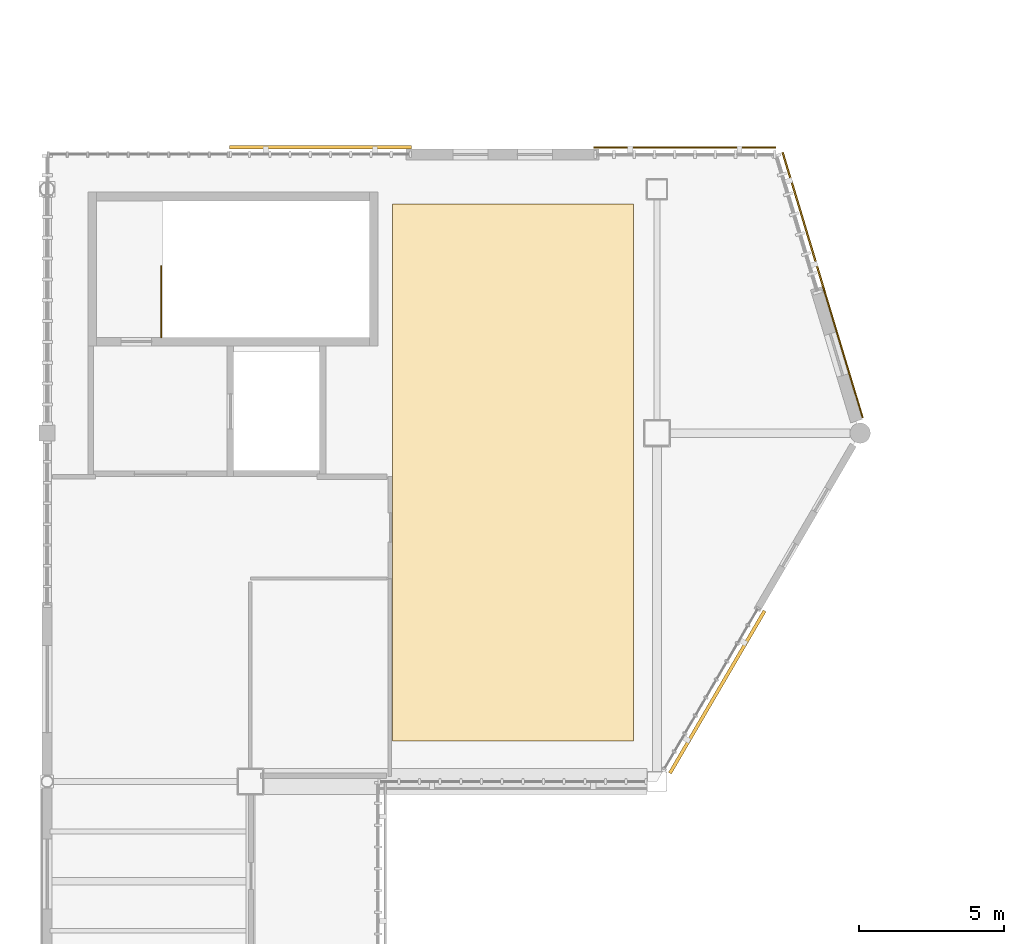
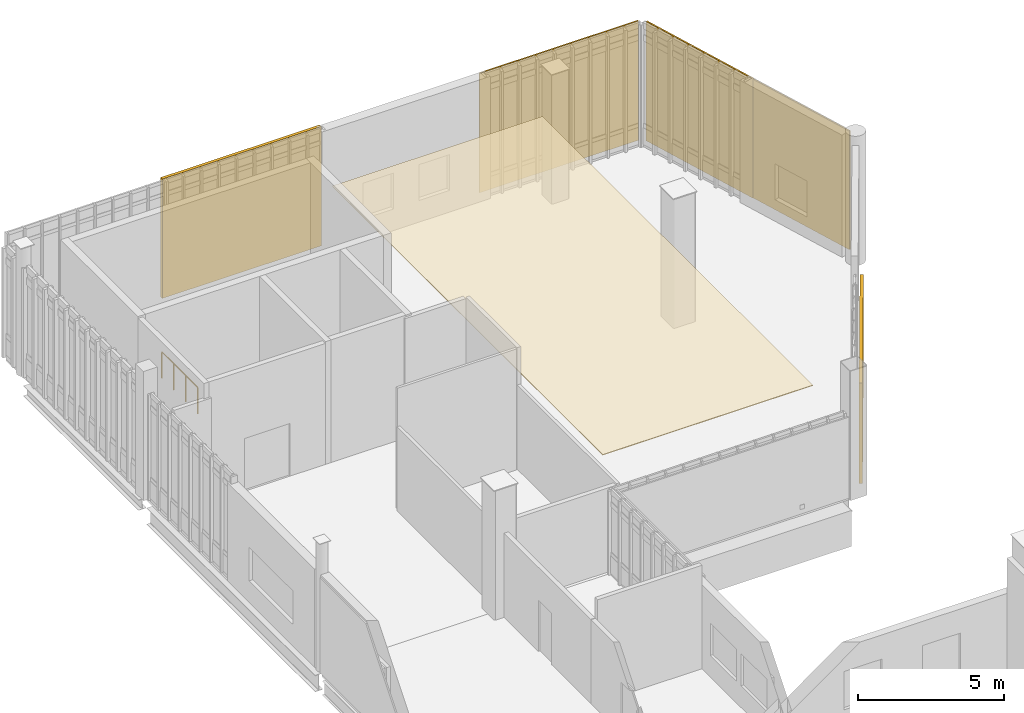
# One storey, part 135 of 135: 4 shading devices, 2 coverings, 1 railing.
"""IFC4 building model written with IfcOpenShell, lengths in metres."""

from ifc_helpers import new_model, si_unit, direction, frame, origin, origin_2d, place, context, subcontext, project, spatial, polyline, rectangle, circle, outline, extrude, material, layer, layer_set, type_object, element, save


model = new_model("IFC4")

# Units and contexts
model_context = context("Model", 3, precision=1e-05, world=origin(), true_north=direction((0.0, 1.0)))
body_context = subcontext(model_context, "Body", "Model", "MODEL_VIEW")
ifc_project = project(units=[si_unit("LENGTHUNIT", "METRE"), si_unit("AREAUNIT", "SQUARE_METRE"), si_unit("VOLUMEUNIT", "CUBIC_METRE"), si_unit("PLANEANGLEUNIT", "RADIAN"), si_unit("MASSUNIT", "GRAM", prefix="KILO")], contexts=[model_context])

# Site, building, storey
site_placement = place(None, origin())
site = spatial("IfcSite", under=ifc_project, at=site_placement, CompositionType="ELEMENT")
building_placement = place(site_placement, origin())
building = spatial("IfcBuilding", under=site, at=building_placement, Name="Larkvane Passage Sports Hall", CompositionType="ELEMENT")
storey_placement = place(building_placement, frame((0.0, 0.0, 16.800048828125)))
storey = spatial("IfcBuildingStorey", under=building, at=storey_placement, Name="L03", CompositionType="ELEMENT", Elevation=16.800048828125)

# Coverings
ifc_material_1 = material(Name="Perforated mineral-wool acoustic baffle")
ifc_layer_1 = layer(ifc_material_1, 0.030029296875)
ifc_layer_set_1 = layer_set([ifc_layer_1], Name="Perforated mineral-wool acoustic baffle")
covering_type_1 = type_object("IfcCoveringType", Name="COV-CEIL-ACOUST", PredefinedType="CEILING", material=ifc_layer_set_1)
covering_1_placement = place(storey_placement, frame((0.0, 0.0, 3.90087890625)))
element("IfcCovering", 1, at=covering_1_placement, inside=storey, type_object=covering_type_1, Name="Acoustic ceiling baffle COV-CEIL-L03-CAF", PredefinedType="CEILING", context=body_context, shape_type="SweptSolid", body=[
    extrude(outline(polyline([(136.5, 65.0), (144.800048828125, 65.0), (144.800048828125, 83.5), (136.5, 83.5), (136.5, 65.0)])), origin(), (0.0, 0.0, 1.0), 0.030029296875),
])
ifc_material_2 = material(Name="Perforated anodised aluminium 5052-H32", Category="aluminium")
ifc_layer_2 = layer(ifc_material_2, 0.050048828125)
ifc_layer_set_2 = layer_set([ifc_layer_2], Name="Perforated anodised aluminium 5052-H32")
covering_type_2 = type_object("IfcCoveringType", Name="COV-MESH-VEIL", PredefinedType="CLADDING", material=ifc_layer_set_2)
covering_2_placement = place(storey_placement, frame((152.01025390625, 78.373291015625, 0.0751953125), z_axis=(0.0, 0.0, 1.0), x_axis=(0.289177016584, -0.957275641119, 0.0)))
element("IfcCovering", 2, at=covering_2_placement, inside=storey, type_object=covering_type_2, Name="Perforated cladding cassette L03-164", PredefinedType="CLADDING", context=body_context, shape_type="SweptSolid", body=[
    extrude(rectangle(XDim=4.68603515625, YDim=0.050048828125, at=origin_2d()), origin(), (0.0, 0.0, 1.0), 4.949951171875),
])

# Railing
ifc_material_3 = material(Name="Steel S355JR", Category="steel")
railing_type = type_object("IfcRailingType", Name="RL-GUARD-1120", PredefinedType="GUARDRAIL", material=ifc_material_3)
railing_placement = place(storey_placement, frame((128.530029296875, 78.89990234375, 0.0)))
element("IfcRailing", 3, at=railing_placement, inside=storey, type_object=railing_type, Name="L03 ST-06 top well guard 1", PredefinedType="GUARDRAIL", context=body_context, shape_type="SweptSolid", body=[
    extrude(circle(Radius=0.02392578125, at=origin_2d()), frame((0.0, 0.001953125, 1.09619140625), z_axis=(0.0, 1.0, 0.0), x_axis=(-1.0, 0.0, 0.0)), (0.0, 0.0, 1.0), 2.4462890625),
    extrude(circle(Radius=0.02099609375, at=origin_2d()), origin(), (0.0, 0.0, 1.0), 1.072021484375),
    extrude(circle(Radius=0.02099609375, at=origin_2d()), frame((0.0, 0.816650390625, 0.0)), (0.0, 0.0, 1.0), 1.072021484375),
    extrude(circle(Radius=0.02099609375, at=origin_2d()), frame((0.0, 1.633544921875, 0.0)), (0.0, 0.0, 1.0), 1.072021484375),
    extrude(circle(Radius=0.02099609375, at=origin_2d()), frame((0.0, 2.4501953125, 0.0)), (0.0, 0.0, 1.0), 1.072021484375),
])

# Shading devices
ifc_material_4 = material(Name="Extruded aluminium 6063-T6", Category="aluminium")
ifc_layer_3 = layer(ifc_material_4, 0.1201171875)
ifc_layer_set_3 = layer_set([ifc_layer_3], Name="Extruded aluminium 6063-T6")
shading_device_type_1 = type_object("IfcShadingDeviceType", Name="SHD-LOUVRE-STORM", PredefinedType="JALOUSIE", material=ifc_layer_set_3)
shading_device_1_placement = place(storey_placement, frame((134.012451171875, 85.43994140625, 0.06005859375), z_axis=(0.0, 0.0, 1.0), x_axis=(1.0, 0.0, 0.0)))
element("IfcShadingDevice", 4, at=shading_device_1_placement, inside=storey, type_object=shading_device_type_1, Name="Solar veil screen L03-072", PredefinedType="JALOUSIE", context=body_context, shape_type="SweptSolid", body=[
    extrude(rectangle(XDim=6.27490234375, YDim=0.1201171875, at=origin_2d()), origin(), (0.0, 0.0, 1.0), 4.97998046875),
])
shading_device_2_placement = place(storey_placement, frame((147.677001953125, 66.68408203125, 0.06005859375), z_axis=(0.0, 0.0, 1.0), x_axis=(-0.503871025531, -0.863778900894, 0.0)))
element("IfcShadingDevice", 5, at=shading_device_2_placement, inside=storey, type_object=shading_device_type_1, Name="Solar veil screen L03-075", PredefinedType="JALOUSIE", context=body_context, shape_type="SweptSolid", body=[
    extrude(rectangle(XDim=6.471435546875, YDim=0.1201171875, at=origin_2d()), origin(), (0.0, 0.0, 1.0), 4.18798828125),
])
ifc_layer_4 = layer(ifc_material_2, 0.06005859375)
ifc_layer_set_4 = layer_set([ifc_layer_4], Name="Perforated anodised aluminium 5052-H32")
shading_device_type_2 = type_object("IfcShadingDeviceType", Name="SHD-VEIL-PERF", PredefinedType="SHUTTER", material=ifc_layer_set_4)
shading_device_3_placement = place(storey_placement, frame((146.5625, 85.43994140625, 0.06005859375), z_axis=(0.0, 0.0, 1.0), x_axis=(1.0, 0.0, 0.0)))
element("IfcShadingDevice", 6, at=shading_device_3_placement, inside=storey, type_object=shading_device_type_2, Name="Solar veil screen L03-073", PredefinedType="SHUTTER", context=body_context, shape_type="SweptSolid", body=[
    extrude(rectangle(XDim=6.27490234375, YDim=0.06005859375, at=origin_2d()), origin(), (0.0, 0.0, 1.0), 4.97998046875),
])
shading_device_4_placement = place(storey_placement, frame((150.65478515625, 82.869384765625, 0.06005859375), z_axis=(0.0, 0.0, 1.0), x_axis=(0.289177016584, -0.957275641119, 0.0)))
element("IfcShadingDevice", 7, at=shading_device_4_placement, inside=storey, type_object=shading_device_type_2, Name="Solar veil screen L03-074", PredefinedType="SHUTTER", context=body_context, shape_type="SweptSolid", body=[
    extrude(rectangle(XDim=5.01416015625, YDim=0.06005859375, at=origin_2d()), origin(), (0.0, 0.0, 1.0), 4.97998046875),
])

save(model, "model.ifc")
